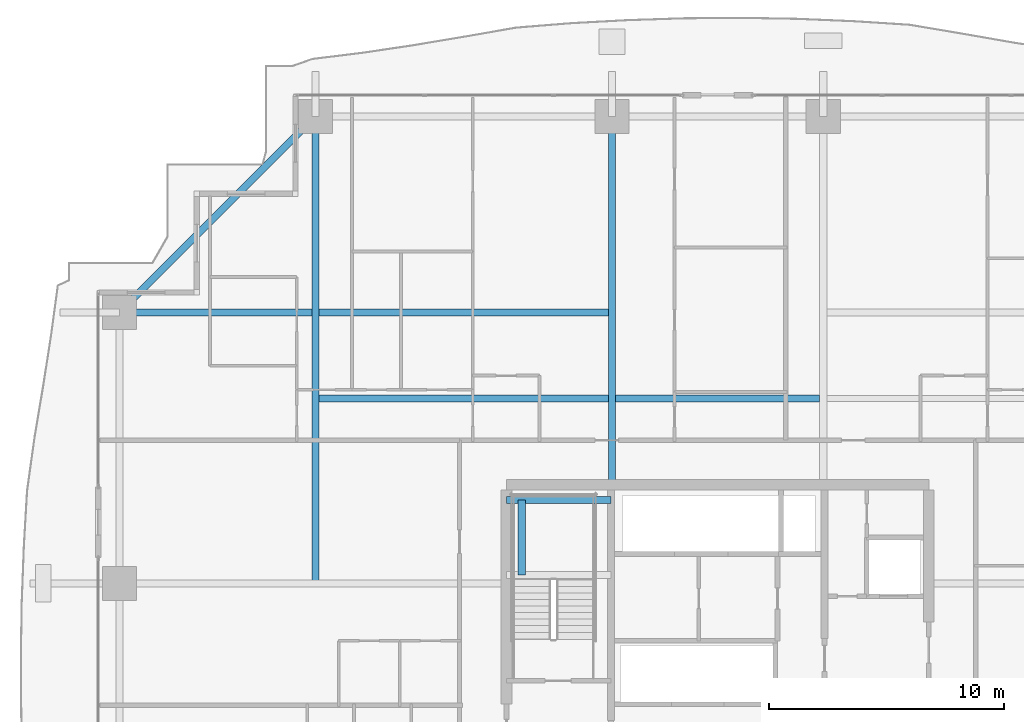
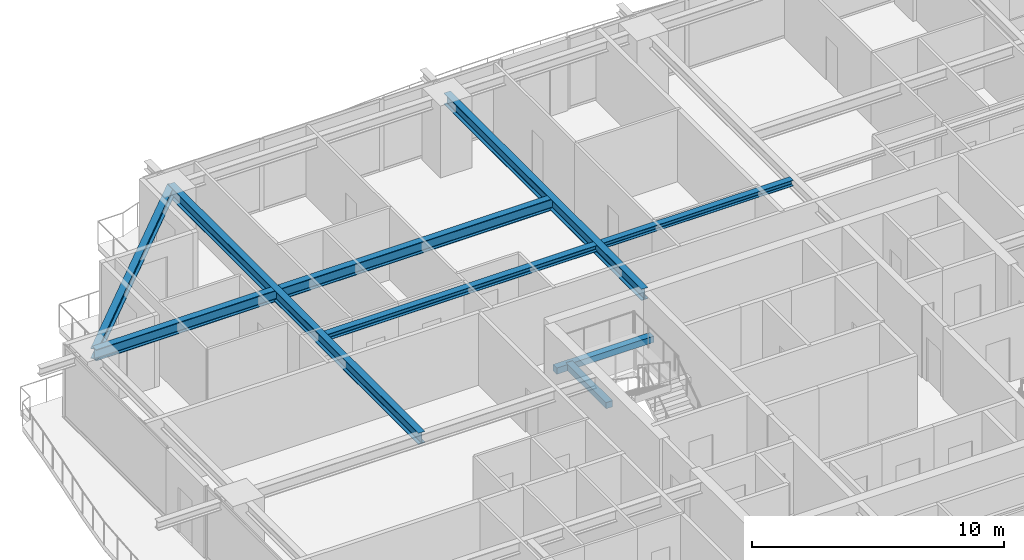
# One storey, part 16 of 35: 8 beams.
"""IFC4 building model written with IfcOpenShell, lengths in metres."""

from ifc_helpers import new_model, si_unit, direction, frame, origin, origin_2d, place, context, subcontext, project, spatial, rectangle, i_section, extrude, source, transform, mapped, material, material_profile, profile_set, type_object, element, save


model = new_model("IFC4")

# Units and contexts
model_context = context("Model", 3, precision=1e-05, world=origin(), true_north=direction((0.0, 1.0)))
body_context = subcontext(model_context, "Body", "Model", "MODEL_VIEW")
ifc_project = project(units=[si_unit("LENGTHUNIT", "METRE"), si_unit("AREAUNIT", "SQUARE_METRE"), si_unit("VOLUMEUNIT", "CUBIC_METRE"), si_unit("PLANEANGLEUNIT", "RADIAN"), si_unit("MASSUNIT", "GRAM", prefix="KILO")], contexts=[model_context])

# Site, building, storey
site_placement = place(None, origin())
site = spatial("IfcSite", under=ifc_project, at=site_placement, CompositionType="ELEMENT")
building_placement = place(site_placement, origin())
building = spatial("IfcBuilding", under=site, at=building_placement, Name="Serunith Strait Residences", CompositionType="ELEMENT")
storey_placement = place(building_placement, frame((0.0, 0.0, 71.699951171875)))
storey = spatial("IfcBuildingStorey", under=building, at=storey_placement, Name="L17", CompositionType="ELEMENT", Elevation=71.699951171875)

# Beams
ifc_material_1 = material(Name="Steel S355J2", Category="steel")
ifc_material_profile_1 = material_profile(ifc_material_1, i_section(OverallWidth=0.300048828125, OverallDepth=0.550048828125, WebThickness=0.014892578125, FlangeThickness=0.029052734375, FilletRadius=0.027099609375, at=origin_2d()), Name="HEB 550")
ifc_profile_set_1 = profile_set([ifc_material_profile_1], Name="Steel S355J2")
beam_type_1 = type_object("IfcBeamType", Name="BM-HEB550", PredefinedType="BEAM", material=ifc_profile_set_1)
shared_shape_1 = source(origin(), body_context, "Body", "SweptSolid", [
    extrude(i_section(OverallWidth=0.300048828125, OverallDepth=0.550048828125, WebThickness=0.014892578125, FlangeThickness=0.029052734375, FilletRadius=0.027099609375, at=origin_2d()), origin(), (0.0, 0.0, 1.0), 15.699951171875),
])
beam_1_placement = place(storey_placement, frame((27.89990234375, 33.60009765625, 3.212158203125), z_axis=(0.0, 1.0, 0.0), x_axis=(-1.0, 0.0, 0.0)))
element("IfcBeam", 1, at=beam_1_placement, inside=storey, type_object=beam_type_1, Name="L17 Primary Floor Girder TC-N2", PredefinedType="BEAM", context=body_context, shape_type="MappedRepresentation", body=[
    mapped(shared_shape_1, transform((0.0, 0.0, 0.0), scale=1.0)),
])
shared_shape_2 = source(origin(), body_context, "Body", "SweptSolid", [
    extrude(i_section(OverallWidth=0.300048828125, OverallDepth=0.550048828125, WebThickness=0.014892578125, FlangeThickness=0.029052734375, FilletRadius=0.027099609375, at=origin_2d()), origin(), (0.0, 0.0, 1.0), 19.900146484375),
])
beam_2_placement = place(storey_placement, frame((15.25, 29.39990234375, 3.212158203125), z_axis=(0.0, 1.0, 0.0), x_axis=(-1.0, 0.0, 0.0)))
element("IfcBeam", 2, at=beam_2_placement, inside=storey, type_object=beam_type_1, Name="L17 Orthogonal Corner Girder TC-N1", PredefinedType="BEAM", context=body_context, shape_type="MappedRepresentation", body=[
    mapped(shared_shape_2, transform((0.0, 0.0, 0.0), scale=1.0)),
])
shared_shape_3 = source(origin(), body_context, "Body", "SweptSolid", [
    extrude(i_section(OverallWidth=0.300048828125, OverallDepth=0.550048828125, WebThickness=0.014892578125, FlangeThickness=0.029052734375, FilletRadius=0.027099609375, at=origin_2d()), origin(), (0.0, 0.0, 1.0), 21.0),
])
beam_3_placement = place(storey_placement, frame((27.89990234375, 40.949951171875, 3.212158203125), z_axis=(-1.0, 0.0, 0.0), x_axis=(0.0, -1.0, 0.0)))
element("IfcBeam", 3, at=beam_3_placement, inside=storey, type_object=beam_type_1, Name="L17 Orthogonal Corner Girder TC-W4", PredefinedType="BEAM", context=body_context, shape_type="MappedRepresentation", body=[
    mapped(shared_shape_3, transform((0.0, 0.0, 0.0), scale=1.0)),
])
ifc_material_profile_2 = material_profile(ifc_material_1, i_section(OverallWidth=0.300048828125, OverallDepth=0.5, WebThickness=0.014404296875, FlangeThickness=0.028076171875, FilletRadius=0.027099609375, at=origin_2d()), Name="HEB 500")
ifc_profile_set_2 = profile_set([ifc_material_profile_2], Name="Steel S355J2")
beam_type_2 = type_object("IfcBeamType", Name="BM-HEB500", PredefinedType="BEAM", material=ifc_profile_set_2)
shared_shape_4 = source(origin(), body_context, "Body", "SweptSolid", [
    extrude(i_section(OverallWidth=0.300048828125, OverallDepth=0.5, WebThickness=0.014404296875, FlangeThickness=0.028076171875, FilletRadius=0.027099609375, at=origin_2d()), origin(), (0.0, 0.0, 1.0), 11.808837890625),
])
beam_4_placement = place(storey_placement, frame((15.25, 49.300048828125, 3.20703125), z_axis=(-0.707106781187, -0.707106781187, 0.0), x_axis=(0.707106781187, -0.707106781187, 0.0)))
element("IfcBeam", 4, at=beam_4_placement, inside=storey, type_object=beam_type_2, Name="L17 Perimeter Ring Beam 12", PredefinedType="BEAM", context=body_context, shape_type="MappedRepresentation", body=[
    mapped(shared_shape_4, transform((0.0, 0.0, 0.0), scale=1.0)),
])
ifc_material_profile_3 = material_profile(ifc_material_1, i_section(OverallWidth=0.300048828125, OverallDepth=0.300048828125, WebThickness=0.010986328125, FlangeThickness=0.01904296875, FilletRadius=0.027099609375, at=origin_2d()), Name="HEB 300")
ifc_profile_set_3 = profile_set([ifc_material_profile_3], Name="Steel S355J2")
beam_type_3 = type_object("IfcBeamType", Name="BM-HEB300", PredefinedType="JOIST", material=ifc_profile_set_3)
shared_shape_5 = source(origin(), body_context, "Body", "SweptSolid", [
    extrude(i_section(OverallWidth=0.300048828125, OverallDepth=0.300048828125, WebThickness=0.010986328125, FlangeThickness=0.01904296875, FilletRadius=0.027099609375, at=origin_2d()), origin(), (0.0, 0.0, 1.0), 12.35009765625),
])
beam_5_placement = place(storey_placement, frame((15.39990234375, 37.27490234375, 3.337158203125), z_axis=(1.0, 0.0, 0.0), x_axis=(0.0, 1.0, 0.0)))
element("IfcBeam", 5, at=beam_5_placement, inside=storey, type_object=beam_type_3, Name="L17 Composite Floor Joist 04", PredefinedType="JOIST", context=body_context, shape_type="MappedRepresentation", body=[
    mapped(shared_shape_5, transform((0.0, 0.0, 0.0), scale=1.0)),
])
ifc_material_profile_4 = material_profile(ifc_material_1, i_section(OverallWidth=0.280029296875, OverallDepth=0.280029296875, WebThickness=0.010498046875, FlangeThickness=0.01806640625, FilletRadius=0.02392578125, at=origin_2d()), Name="HEB 280")
ifc_profile_set_4 = profile_set([ifc_material_profile_4], Name="Steel S355J2")
beam_type_4 = type_object("IfcBeamType", Name="BM-HEB280", PredefinedType="JOIST", material=ifc_profile_set_4)
shared_shape_6 = source(origin(), body_context, "Body", "SweptSolid", [
    extrude(i_section(OverallWidth=0.280029296875, OverallDepth=0.280029296875, WebThickness=0.010498046875, FlangeThickness=0.01806640625, FilletRadius=0.02392578125, at=origin_2d()), origin(), (0.0, 0.0, 1.0), 8.699951171875),
])
beam_6_placement = place(storey_placement, frame((28.050048828125, 37.27490234375, 3.34716796875), z_axis=(1.0, 0.0, 0.0), x_axis=(0.0, 1.0, 0.0)))
element("IfcBeam", 6, at=beam_6_placement, inside=storey, type_object=beam_type_4, Name="L17 Composite Floor Joist 05", PredefinedType="JOIST", context=body_context, shape_type="MappedRepresentation", body=[
    mapped(shared_shape_6, transform((0.0, 0.0, 0.0), scale=1.0)),
])
ifc_material_2 = material(Name="Concrete C60/75", Category="concrete")
ifc_material_profile_5 = material_profile(ifc_material_2, rectangle(XDim=0.300048828125, YDim=0.300048828125, at=origin_2d()), Name="RC 300x300")
ifc_profile_set_5 = profile_set([ifc_material_profile_5], Name="Concrete C60/75")
beam_type_5 = type_object("IfcBeamType", Name="BM-LAND-300x300", PredefinedType="BEAM", material=ifc_profile_set_5)
shared_shape_7 = source(origin(), body_context, "Body", "SweptSolid", [
    extrude(rectangle(XDim=0.300048828125, YDim=0.300048828125, at=origin_2d()), origin(), (0.0, 0.0, 1.0), 4.4501953125),
])
beam_7_placement = place(storey_placement, frame((23.39990234375, 32.949951171875, 1.525146484375), z_axis=(1.0, 0.0, 0.0), x_axis=(0.0, 1.0, 0.0)))
element("IfcBeam", 7, at=beam_7_placement, inside=storey, type_object=beam_type_5, Name="L17 ST-1 Landing Support Beam 2", PredefinedType="BEAM", context=body_context, shape_type="MappedRepresentation", body=[
    mapped(shared_shape_7, transform((0.0, 0.0, 0.0), scale=1.0)),
])
shared_shape_8 = source(origin(), body_context, "Body", "SweptSolid", [
    extrude(rectangle(XDim=0.300048828125, YDim=0.300048828125, at=origin_2d()), origin(), (0.0, 0.0, 1.0), 3.199951171875),
])
beam_8_placement = place(storey_placement, frame((24.050048828125, 29.75, 1.525146484375), z_axis=(0.0, 1.0, 0.0), x_axis=(-1.0, 0.0, 0.0)))
element("IfcBeam", 8, at=beam_8_placement, inside=storey, type_object=beam_type_5, Name="L17 ST-1 Landing Transverse Tie Beam", PredefinedType="BEAM", context=body_context, shape_type="MappedRepresentation", body=[
    mapped(shared_shape_8, transform((0.0, 0.0, 0.0), scale=1.0)),
])

save(model, "model.ifc")
